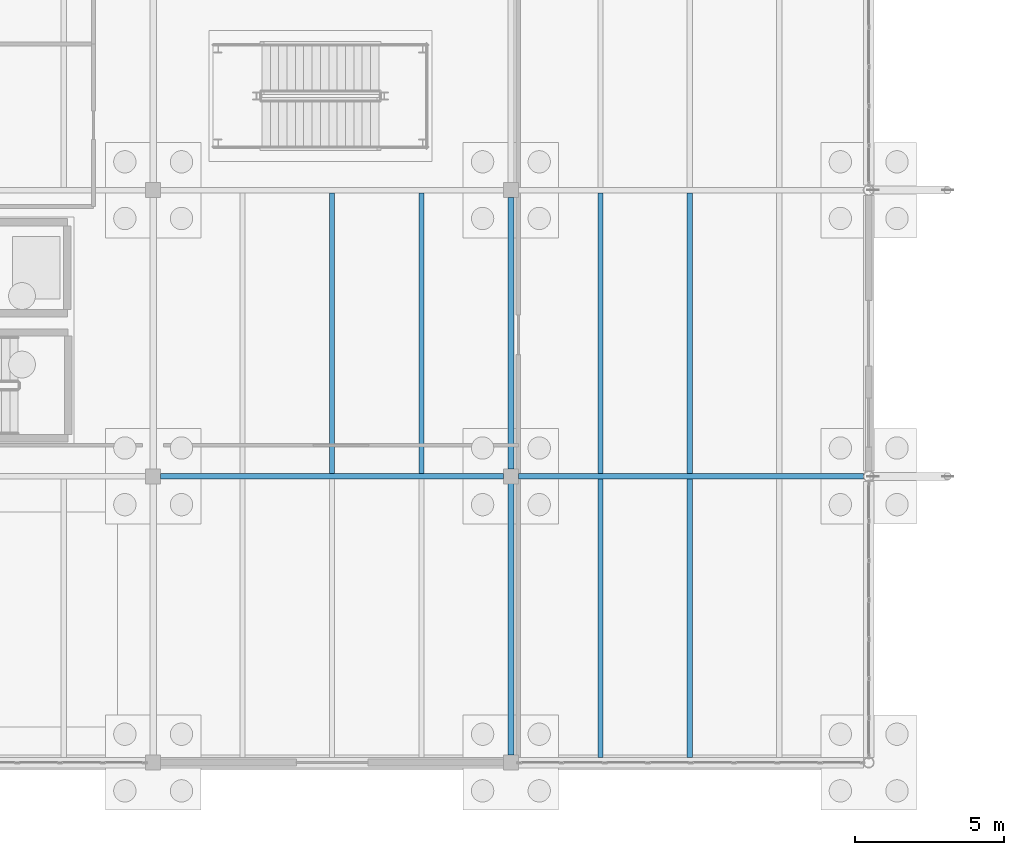
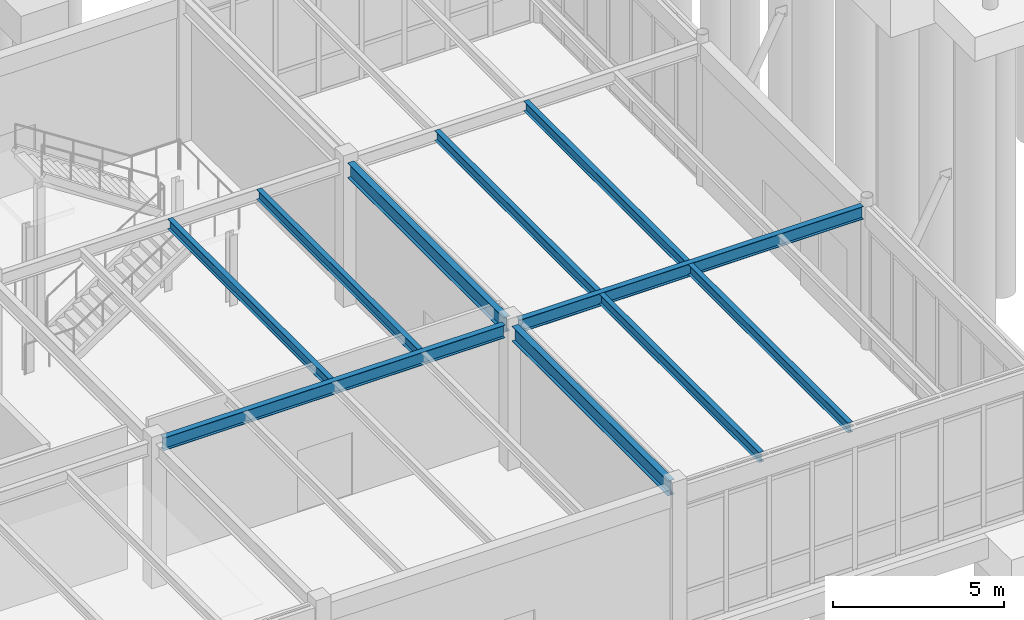
# One storey, part 25 of 188: 10 beams.
"""IFC4 building model written with IfcOpenShell, lengths in metres."""

import ifcopenshell
import ifcopenshell.guid

model = None  # the IFC model being written
_history = None  # IfcOwnerHistory: only IFC2X3 demands one
_inside = {}  # id of a spatial element -> (the spatial element, [elements in it])
_under = {}  # id of a project, library or spatial element -> (it, [spatial elements below it])
_declared = {}  # id of a project -> (the project, [libraries it declares])
_typed = {}  # id of a type object -> (the type object, [elements of that type])
_made_of = {}  # id of a material, layer set ... -> (it, [elements and type objects made of it])


def new_model(schema):
    """Start an empty IFC model of exactly this schema.

    Asked for "IFC4X3", IfcOpenShell would pick the latest addendum, in which some entities
    have other attributes; the version numbers below select the first issue.
    IFC2X3 requires an IfcOwnerHistory on every rooted entity: one is made here for all.
    """
    global model, _history
    if schema == "IFC4X3":
        model = ifcopenshell.file(schema_version=(4, 3, 0, 0))
    else:
        model = ifcopenshell.file(schema=schema)
    _inside.clear()
    _under.clear()
    _declared.clear()
    _typed.clear()
    _made_of.clear()
    _history = None
    if model.schema == "IFC2X3":
        org = make("IfcOrganization", Name="unknown")
        user = make(
            "IfcPersonAndOrganization",
            ThePerson=make("IfcPerson", FamilyName="unknown"),
            TheOrganization=org,
        )
        app = make(
            "IfcApplication",
            ApplicationDeveloper=org,
            Version="unknown",
            ApplicationFullName="unknown",
            ApplicationIdentifier="unknown",
        )
        _history = make(
            "IfcOwnerHistory",
            OwningUser=user,
            OwningApplication=app,
            ChangeAction="ADDED",
            CreationDate=0,
        )
    return model


def make(cls, **values):
    """One entity of the class cls with the attributes given. An attribute that is None is left unset."""
    return model.create_entity(
        cls, **{name: value for name, value in values.items() if value is not None}
    )


def rooted(cls, **values):
    """An entity with a GlobalId (a new one), such as an element, a storey or a relation."""
    return make(cls, GlobalId=ifcopenshell.guid.new(), OwnerHistory=_history, **values)


def si_unit(unit_type, name, prefix=None):
    """IfcSIUnit, for example si_unit("LENGTHUNIT", "METRE", prefix="MILLI")."""
    return make("IfcSIUnit", UnitType=unit_type, Prefix=prefix, Name=name)


def assignment(units):
    """IfcUnitAssignment: the units of a project."""
    return None if units is None else make("IfcUnitAssignment", Units=units)


def point(xyz):
    """IfcCartesianPoint."""
    return None if xyz is None else make("IfcCartesianPoint", Coordinates=xyz)


def direction(xyz):
    """IfcDirection."""
    return None if xyz is None else make("IfcDirection", DirectionRatios=xyz)


def frame(location, z_axis=None, x_axis=None):
    """IfcAxis2Placement3D, a coordinate frame: its origin and axes. An axis left out is left unset."""
    return make(
        "IfcAxis2Placement3D",
        Location=point(location),
        Axis=direction(z_axis),
        RefDirection=direction(x_axis),
    )


def frame_2d(location, x_axis=None):
    """IfcAxis2Placement2D, a coordinate frame in the plane: its origin and x axis."""
    return make(
        "IfcAxis2Placement2D", Location=point(location), RefDirection=direction(x_axis)
    )


def origin():
    """The frame at (0, 0, 0) with its axes left unset."""
    return frame((0.0, 0.0, 0.0))


def origin_2d():
    """The frame at (0, 0) in the plane with its x axis left unset."""
    return frame_2d((0.0, 0.0))


def place(relative_to, where):
    """IfcLocalPlacement: puts the frame where relative to a parent placement (None: the world)."""
    return make(
        "IfcLocalPlacement", PlacementRelTo=relative_to, RelativePlacement=where
    )


def context(
    kind, dimensions, precision=None, world=None, true_north=None, identifier=None
):
    """IfcGeometricRepresentationContext, for example the 3D "Model" context."""
    return make(
        "IfcGeometricRepresentationContext",
        ContextIdentifier=identifier,
        ContextType=kind,
        CoordinateSpaceDimension=dimensions,
        Precision=precision,
        WorldCoordinateSystem=world,
        TrueNorth=true_north,
    )


def subcontext(parent, identifier, kind, view, scale=None):
    """IfcGeometricRepresentationSubContext, for example "Body" below "Model"."""
    return make(
        "IfcGeometricRepresentationSubContext",
        ContextIdentifier=identifier,
        ContextType=kind,
        ParentContext=parent,
        TargetScale=scale,
        TargetView=view,
    )


def project(units=None, contexts=None):
    """IfcProject with its units and contexts."""
    return rooted(
        "IfcProject",
        Name="project",
        RepresentationContexts=contexts,
        UnitsInContext=assignment(units),
    )


def spatial(cls, under=None, at=None, **own):
    """A site, building, storey or space (cls), placed at a placement, below another one or the project."""
    s = rooted(cls, ObjectPlacement=at, **own)
    if under is not None:
        _under.setdefault(under.id(), (under, []))[1].append(s)
    return s


def profile(cls, at=None, kind="AREA", **sizes):
    """A parametric profile (cls). Its sizes go by their IFC names, for example OverallWidth=200.0."""
    return make(cls, ProfileType=kind, Position=at, **sizes)


def i_section(**sizes):
    """IfcIShapeProfileDef."""
    return profile("IfcIShapeProfileDef", **sizes)


def extrude(swept, where, along, depth):
    """IfcExtrudedAreaSolid: the profile swept, set in the frame where, extruded along a direction by depth."""
    return make(
        "IfcExtrudedAreaSolid",
        SweptArea=swept,
        Position=where,
        ExtrudedDirection=direction(along),
        Depth=depth,
    )


def shape(context_of_items, identifier, shape_type, items):
    """IfcShapeRepresentation: the items that make up one representation, for example the "Body"."""
    return make(
        "IfcShapeRepresentation",
        ContextOfItems=context_of_items,
        RepresentationIdentifier=identifier,
        RepresentationType=shape_type,
        Items=items,
    )


def material(Name=None, Category=None):
    """IfcMaterial."""
    return make("IfcMaterial", Name=Name, Category=Category)


def material_profile(
    of_material, cross_section, Name=None, Category=None, Priority=None
):
    """IfcMaterialProfile: a cross section and its material."""
    return make(
        "IfcMaterialProfile",
        Name=Name,
        Material=of_material,
        Profile=cross_section,
        Priority=Priority,
        Category=Category,
    )


def profile_set(profiles, Name=None, composite=None):
    """IfcMaterialProfileSet."""
    return make(
        "IfcMaterialProfileSet",
        Name=Name,
        MaterialProfiles=profiles,
        CompositeProfile=composite,
    )


def made_of(thing, what):
    """Note that an element or type object is made of a material, layer set ...; save() writes the relation."""
    if what is not None:
        _made_of.setdefault(what.id(), (what, []))[1].append(thing)
    return thing


def type_object(cls, material=None, **own):
    """A type object (cls), such as IfcWallType, which elements share."""
    return made_of(rooted(cls, **own), material)


def element(
    cls,
    number,
    at=None,
    inside=None,
    cuts=None,
    type_object=None,
    material=None,
    context=None,
    identifier="Body",
    shape_type=None,
    held_by="IfcProductDefinitionShape",
    body=None,
    shapes=None,
    **own,
):
    """One element of the class cls, such as IfcWall. Its Tag is "e" and its number.

    at: its placement. inside: the storey or other place that contains it. cuts: it is an
    opening in that element (IfcRelVoidsElement). A single representation is given by context,
    identifier, shape_type and body (its items); several are given by shapes. held_by: the class
    of the entity that holds the representations. save() writes the other relations.
    """
    e = rooted(cls, Tag="e%d" % number, ObjectPlacement=at, **own)
    if body is not None:
        shapes = [shape(context, identifier, shape_type, body)]
    if shapes is not None:
        e.Representation = make(held_by, Representations=shapes)
    if inside is not None:
        _inside.setdefault(inside.id(), (inside, []))[1].append(e)
    if cuts is not None:
        rooted(
            "IfcRelVoidsElement", RelatingBuildingElement=cuts, RelatedOpeningElement=e
        )
    if type_object is not None:
        _typed.setdefault(type_object.id(), (type_object, []))[1].append(e)
    return made_of(e, material)


def aggregate(whole, parts):
    """IfcRelAggregates: a whole, such as a stair, and the parts it consists of."""
    return rooted("IfcRelAggregates", RelatingObject=whole, RelatedObjects=parts)


def save(model, path):
    """Write the relations noted so far, then the file.

    IfcRelAggregates (storeys below a building ...), IfcRelContainedInSpatialStructure (elements
    in a storey), IfcRelDefinesByType, IfcRelAssociatesMaterial and IfcRelDeclares: one each for
    every whole, place, type object, material and project.
    """
    for whole, parts in _under.values():
        aggregate(whole, parts)
    for where, things in _inside.values():
        rooted(
            "IfcRelContainedInSpatialStructure",
            RelatedElements=things,
            RelatingStructure=where,
        )
    for kind, things in _typed.values():
        rooted("IfcRelDefinesByType", RelatedObjects=things, RelatingType=kind)
    for what, things in _made_of.values():
        rooted("IfcRelAssociatesMaterial", RelatedObjects=things, RelatingMaterial=what)
    for by, libraries in _declared.values():
        rooted("IfcRelDeclares", RelatingContext=by, RelatedDefinitions=libraries)
    model.write(path)


model = new_model("IFC4")

# Units and contexts
model_context = context("Model", 3, precision=1e-05, world=origin(), true_north=direction((0.0, 1.0)))
body_context = subcontext(model_context, "Body", "Model", "MODEL_VIEW")
ifc_project = project(units=[si_unit("LENGTHUNIT", "METRE"), si_unit("AREAUNIT", "SQUARE_METRE"), si_unit("VOLUMEUNIT", "CUBIC_METRE"), si_unit("PLANEANGLEUNIT", "RADIAN"), si_unit("MASSUNIT", "GRAM", prefix="KILO")], contexts=[model_context])

# Site, building, storey
site_placement = place(None, origin())
site = spatial("IfcSite", under=ifc_project, at=site_placement, CompositionType="ELEMENT")
building_placement = place(site_placement, origin())
building = spatial("IfcBuilding", under=site, at=building_placement, Name="Pandanus Reach Market Hall", CompositionType="ELEMENT")
storey_placement = place(building_placement, origin())
storey = spatial("IfcBuildingStorey", under=building, at=storey_placement, Name="L00", CompositionType="ELEMENT", Elevation=0.0)

# Beams
ifc_material = material(Name="Steel Grade 350 (350 MPa)", Category="steel")
ifc_material_profile_1 = material_profile(ifc_material, i_section(OverallWidth=0.18994140625, OverallDepth=0.45703125, WebThickness=0.009033203125, FlangeThickness=0.014404296875, at=origin_2d()), Name="460UB74.6", Category="LoadBearing")
ifc_profile_set_1 = profile_set([ifc_material_profile_1], Name="Steel Grade 350 (350 MPa)")
beam_type_1 = type_object("IfcBeamType", Name="BM-UB460-I", PredefinedType="BEAM", material=ifc_profile_set_1)
beam_1_placement = place(storey_placement, frame((12.248046875, 9.60009765625, 4.881103515625), z_axis=(1.0, 0.0, 0.0), x_axis=(0.0, 1.0, 0.0)))
element("IfcBeam", 1, at=beam_1_placement, inside=storey, type_object=beam_type_1, Name="Framing beam BM-UB460-I L00.925", PredefinedType="BEAM", context=body_context, shape_type="SweptSolid", body=[
    extrude(i_section(OverallWidth=0.18994140625, OverallDepth=0.45703125, WebThickness=0.009033203125, FlangeThickness=0.014404296875, at=origin_2d()), origin(), (0.0, 0.0, 1.0), 11.50390625),
])
beam_2_placement = place(storey_placement, frame((24.248046875, 9.60009765625, 4.881103515625), z_axis=(1.0, 0.0, 0.0), x_axis=(0.0, 1.0, 0.0)))
element("IfcBeam", 2, at=beam_2_placement, inside=storey, type_object=beam_type_1, Name="Framing beam BM-UB460-I L00.926", PredefinedType="BEAM", context=body_context, shape_type="SweptSolid", body=[
    extrude(i_section(OverallWidth=0.18994140625, OverallDepth=0.45703125, WebThickness=0.009033203125, FlangeThickness=0.014404296875, at=origin_2d()), origin(), (0.0, 0.0, 1.0), 11.576171875),
])
ifc_material_profile_2 = material_profile(ifc_material, i_section(OverallWidth=0.208984375, OverallDepth=0.532958984375, WebThickness=0.01025390625, FlangeThickness=0.015625, at=origin_2d()), Name="530UB92.4", Category="LoadBearing")
ifc_profile_set_2 = profile_set([ifc_material_profile_2], Name="Steel Grade 350 (350 MPa)")
beam_type_2 = type_object("IfcBeamType", Name="BM-UB530-I", PredefinedType="BEAM", material=ifc_profile_set_2)
for number, where, z_axis, x_axis, name in (
    (3, (24.0, 0.248046875, 4.843017578125), (0.0, 1.0, 0.0), (-1.0, 0.0, 0.0), "Framing beam BM-UB530-I L00.939"),
    (4, (24.0, 9.847900390625, 4.843017578125), (0.0, 1.0, 0.0), (-1.0, 0.0, 0.0), "Framing beam BM-UB530-I L00.940"),
):
    element("IfcBeam", number, at=place(storey_placement, frame(where, z_axis=z_axis, x_axis=x_axis)), inside=storey, type_object=beam_type_2, Name=name, PredefinedType="BEAM", context=body_context, shape_type="SweptSolid", body=[
        extrude(i_section(OverallWidth=0.208984375, OverallDepth=0.532958984375, WebThickness=0.01025390625, FlangeThickness=0.015625, at=origin_2d()), origin(), (0.0, 0.0, 1.0), 9.10400390625),
    ])
ifc_material_profile_3 = material_profile(ifc_material, i_section(OverallWidth=0.1708984375, OverallDepth=0.35595703125, WebThickness=0.00732421875, FlangeThickness=0.011474609375, at=origin_2d()), Name="360UB50.7", Category="LoadBearing")
ifc_profile_set_3 = profile_set([ifc_material_profile_3], Name="Steel Grade 350 (350 MPa)")
beam_type_3 = type_object("IfcBeamType", Name="JS-UB360-I", PredefinedType="JOIST", material=ifc_profile_set_3)
for number, where, z_axis, x_axis, name in (
    (5, (18.0, 9.693115234375, 4.931640625), (0.0, 1.0, 0.0), (-1.0, 0.0, 0.0), "Secondary joist JS-UB360-I L00.955"),
    (6, (21.0, 9.693115234375, 4.931640625), (0.0, 1.0, 0.0), (-1.0, 0.0, 0.0), "Secondary joist JS-UB360-I L00.956"),
):
    element("IfcBeam", number, at=place(storey_placement, frame(where, z_axis=z_axis, x_axis=x_axis)), inside=storey, type_object=beam_type_3, Name=name, PredefinedType="JOIST", context=body_context, shape_type="SweptSolid", body=[
        extrude(i_section(OverallWidth=0.1708984375, OverallDepth=0.35595703125, WebThickness=0.00732421875, FlangeThickness=0.011474609375, at=origin_2d()), origin(), (0.0, 0.0, 1.0), 9.413818359375),
    ])
for number, where, z_axis, x_axis, name in (
    (7, (27.0, 0.173095703125, 4.931640625), (0.0, 1.0, 0.0), (-1.0, 0.0, 0.0), "Secondary joist JS-UB360-I L00.957"),
    (8, (30.0, 0.173095703125, 4.931640625), (0.0, 1.0, 0.0), (-1.0, 0.0, 0.0), "Secondary joist JS-UB360-I L00.958"),
):
    element("IfcBeam", number, at=place(storey_placement, frame(where, z_axis=z_axis, x_axis=x_axis)), inside=storey, type_object=beam_type_3, Name=name, PredefinedType="JOIST", context=body_context, shape_type="SweptSolid", body=[
        extrude(i_section(OverallWidth=0.1708984375, OverallDepth=0.35595703125, WebThickness=0.00732421875, FlangeThickness=0.011474609375, at=origin_2d()), origin(), (0.0, 0.0, 1.0), 9.333984375),
    ])
for number, where, z_axis, x_axis, name in (
    (9, (27.0, 9.693115234375, 4.931640625), (0.0, 1.0, 0.0), (-1.0, 0.0, 0.0), "Secondary joist JS-UB360-I L00.960"),
    (10, (30.0, 9.693115234375, 4.931640625), (0.0, 1.0, 0.0), (-1.0, 0.0, 0.0), "Secondary joist JS-UB360-I L00.961"),
):
    element("IfcBeam", number, at=place(storey_placement, frame(where, z_axis=z_axis, x_axis=x_axis)), inside=storey, type_object=beam_type_3, Name=name, PredefinedType="JOIST", context=body_context, shape_type="SweptSolid", body=[
        extrude(i_section(OverallWidth=0.1708984375, OverallDepth=0.35595703125, WebThickness=0.00732421875, FlangeThickness=0.011474609375, at=origin_2d()), origin(), (0.0, 0.0, 1.0), 9.413818359375),
    ])

save(model, "model.ifc")
